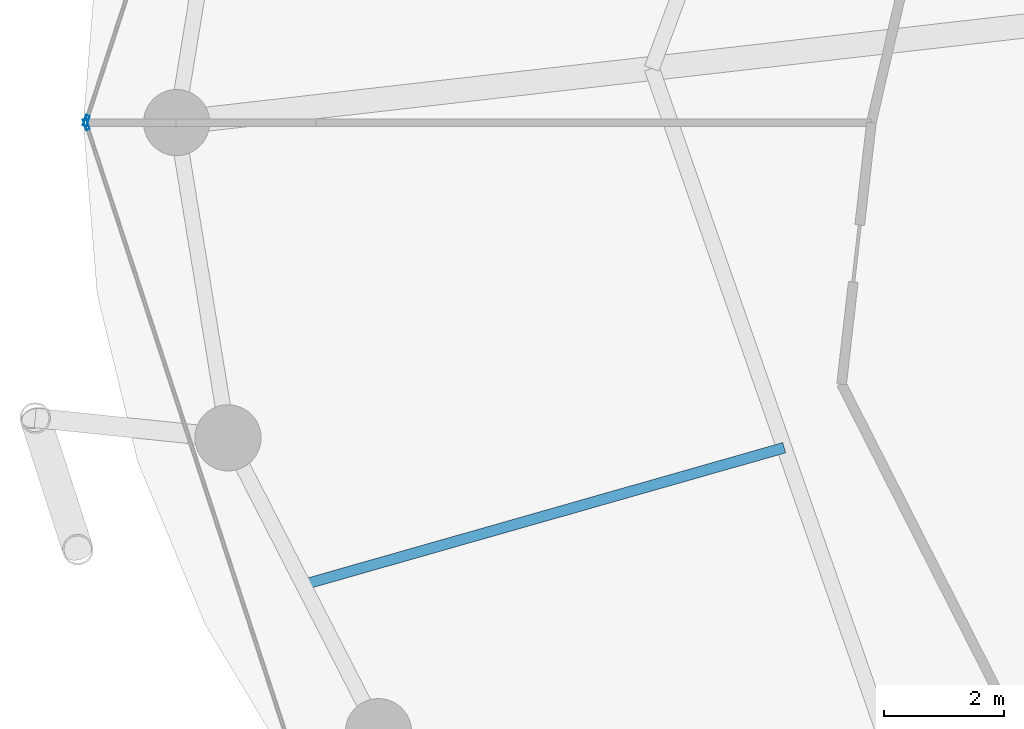
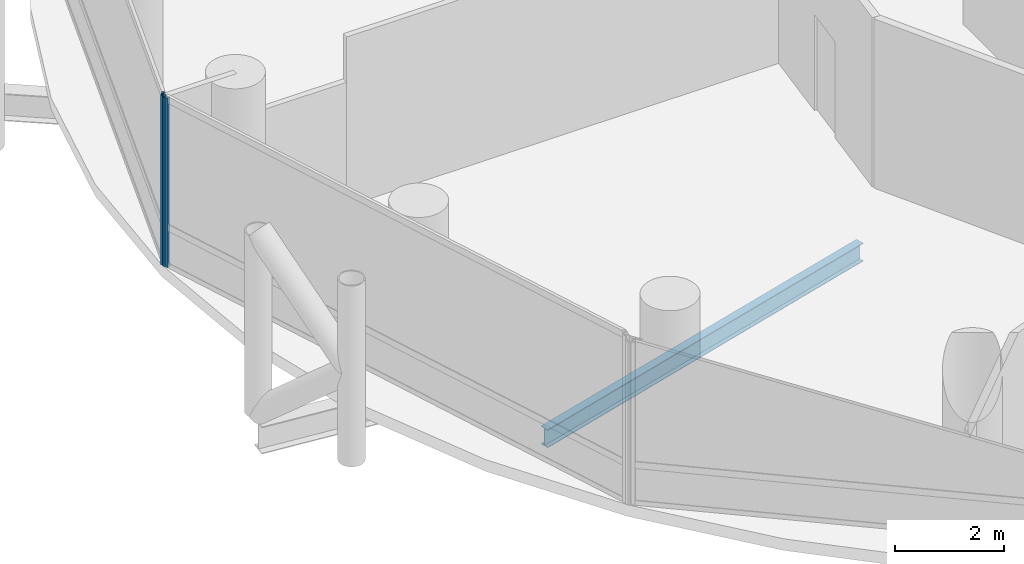
# One storey, part 6 of 25: 2 members, 1 beam, 2 elements without a shape of their own.
"""IFC4 building model written with IfcOpenShell, lengths in metres."""

from ifc_helpers import new_model, si_unit, direction, frame, origin, origin_2d, place, context, subcontext, project, spatial, hollow_rectangle, i_section, extrude, material, layer, layer_set, material_profile, profile_set, type_object, element, aggregate, save


model = new_model("IFC4")

# Units and contexts
model_context = context("Model", 3, precision=1e-05, world=origin(), true_north=direction((0.0, 1.0)))
body_context = subcontext(model_context, "Body", "Model", "MODEL_VIEW")
ifc_project = project(units=[si_unit("LENGTHUNIT", "METRE"), si_unit("AREAUNIT", "SQUARE_METRE"), si_unit("VOLUMEUNIT", "CUBIC_METRE"), si_unit("PLANEANGLEUNIT", "RADIAN"), si_unit("MASSUNIT", "GRAM", prefix="KILO")], contexts=[model_context])

# Site, building, storey
site_placement = place(None, origin())
site = spatial("IfcSite", under=ifc_project, at=site_placement, CompositionType="ELEMENT")
building_placement = place(site_placement, origin())
building = spatial("IfcBuilding", under=site, at=building_placement, Name="Nuhasar Tower", CompositionType="ELEMENT")
storey_placement = place(building_placement, frame((0.0, 0.0, 49.35009765625)))
storey = spatial("IfcBuildingStorey", under=building, at=storey_placement, Name="L11", CompositionType="ELEMENT", Elevation=49.35009765625)

# Beam
ifc_material_1 = material(Name="Steel S355", Category="steel")
ifc_material_profile_1 = material_profile(ifc_material_1, i_section(OverallWidth=0.177978515625, OverallDepth=0.406005859375, WebThickness=0.0078125, FlangeThickness=0.0126953125, at=origin_2d()), Name="W16X40")
ifc_profile_set_1 = profile_set([ifc_material_profile_1], Name="Steel S355")
beam_type = type_object("IfcBeamType", Name="BM-JST-W16X40", PredefinedType="JOIST", material=ifc_profile_set_1)
beam_placement = place(storey_placement, frame((24.051025390625, 21.39501953125, -0.463134765625), z_axis=(-0.961730884496, -0.273995813484, 0.0), x_axis=(0.273995813484, -0.961730884496, 0.0)))
element("IfcBeam", 1, at=beam_placement, inside=storey, type_object=beam_type, Name="L11 Secondary Floor Joist 08", PredefinedType="JOIST", context=body_context, shape_type="SweptSolid", body=[
    extrude(i_section(OverallWidth=0.177978515625, OverallDepth=0.406005859375, WebThickness=0.0078125, FlangeThickness=0.0126953125, at=origin_2d()), origin(), (0.0, 0.0, 1.0), 8.314208984375),
])

# Curtain wall, member
ifc_material_2 = material(Name="Aluminium 6063-T6", Category="aluminium")
ifc_layer = layer(ifc_material_2, 0.199951171875)
ifc_layer_set = layer_set([ifc_layer], Name="Aluminium 6063-T6")
curtain_wall_type = type_object("IfcCurtainWallType", Name="CW-Z1-OFF", PredefinedType="NOTDEFINED", material=ifc_layer_set)
curtain_wall_1_placement = place(storey_placement, origin())
curtain_wall_1 = element("IfcCurtainWall", 2, at=curtain_wall_1_placement, inside=storey, type_object=curtain_wall_type, Name="L11 Unitised Curtain Wall 06", PredefinedType="NOTDEFINED")
ifc_material_profile_2 = material_profile(ifc_material_2, hollow_rectangle(XDim=0.06494140625, YDim=0.179931640625, WallThickness=0.0048828125, at=origin_2d()), Name="CWM-2")
ifc_profile_set_2 = profile_set([ifc_material_profile_2], Name="Aluminium 6063-T6")
member_type = type_object("IfcMemberType", Name="CW-MUL-S2", PredefinedType="MULLION", material=ifc_profile_set_2)
member_1_placement = place(storey_placement, frame((12.4501953125, 26.830810546875, 0.0), z_axis=(0.0, 0.0, 1.0), x_axis=(0.950467534571, -0.310823849997, 0.0)))
member_1 = element("IfcMember", 3, at=member_1_placement, type_object=member_type, Name="CW-Z1 mullion 2", PredefinedType="MULLION", context=body_context, shape_type="SweptSolid", body=[
    extrude(hollow_rectangle(XDim=0.06494140625, YDim=0.179931640625, WallThickness=0.0048828125, at=origin_2d()), origin(), (0.0, 0.0, 1.0), 3.789794921875),
])
aggregate(curtain_wall_1, [member_1])

curtain_wall_2_placement = place(storey_placement, origin())
curtain_wall_2 = element("IfcCurtainWall", 4, at=curtain_wall_2_placement, inside=storey, type_object=curtain_wall_type, Name="L11 Unitised Curtain Wall 07", PredefinedType="NOTDEFINED")
member_2_placement = place(storey_placement, frame((12.4501953125, 26.76904296875, 0.0), z_axis=(0.0, 0.0, 1.0), x_axis=(0.950467534571, 0.310823849997, 0.0)))
member_2 = element("IfcMember", 5, at=member_2_placement, type_object=member_type, Name="CW-Z1 mullion 1", PredefinedType="MULLION", context=body_context, shape_type="SweptSolid", body=[
    extrude(hollow_rectangle(XDim=0.06494140625, YDim=0.179931640625, WallThickness=0.0048828125, at=origin_2d()), origin(), (0.0, 0.0, 1.0), 3.789794921875),
])
aggregate(curtain_wall_2, [member_2])

save(model, "model.ifc")
